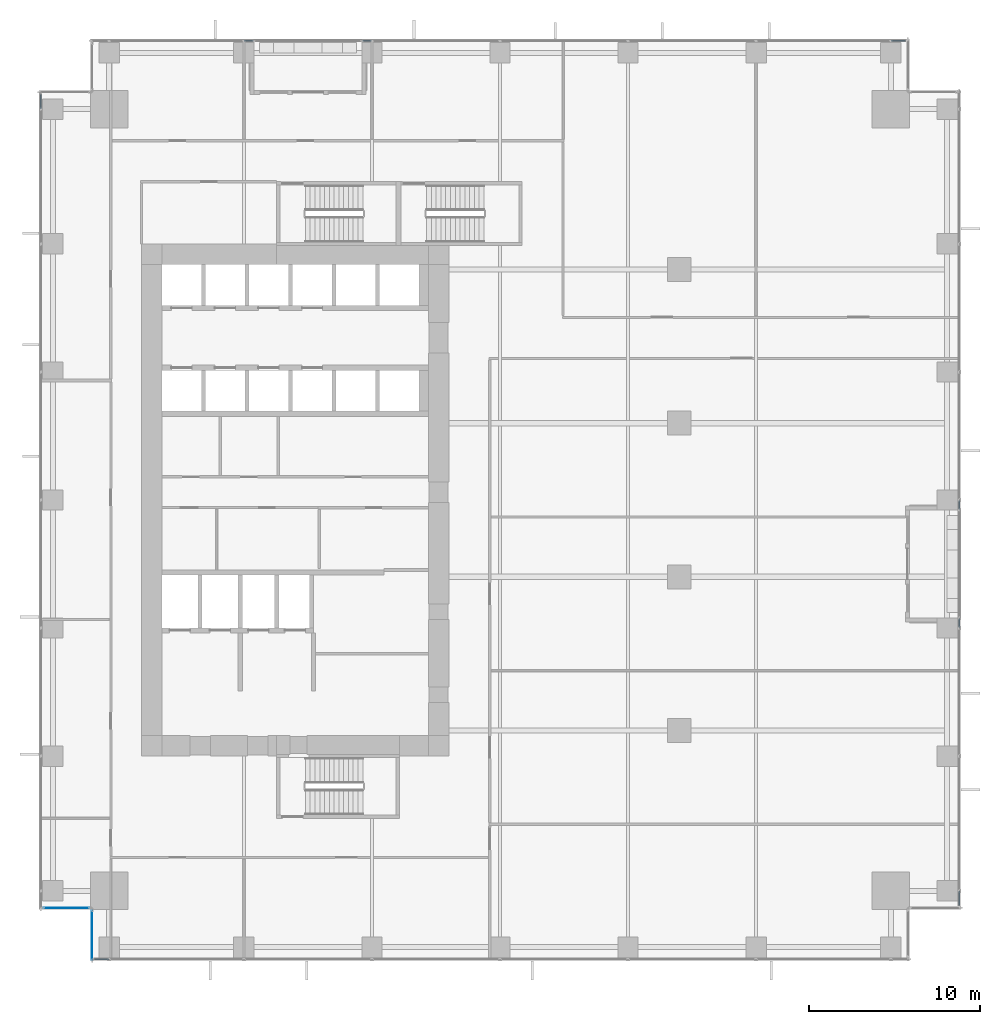
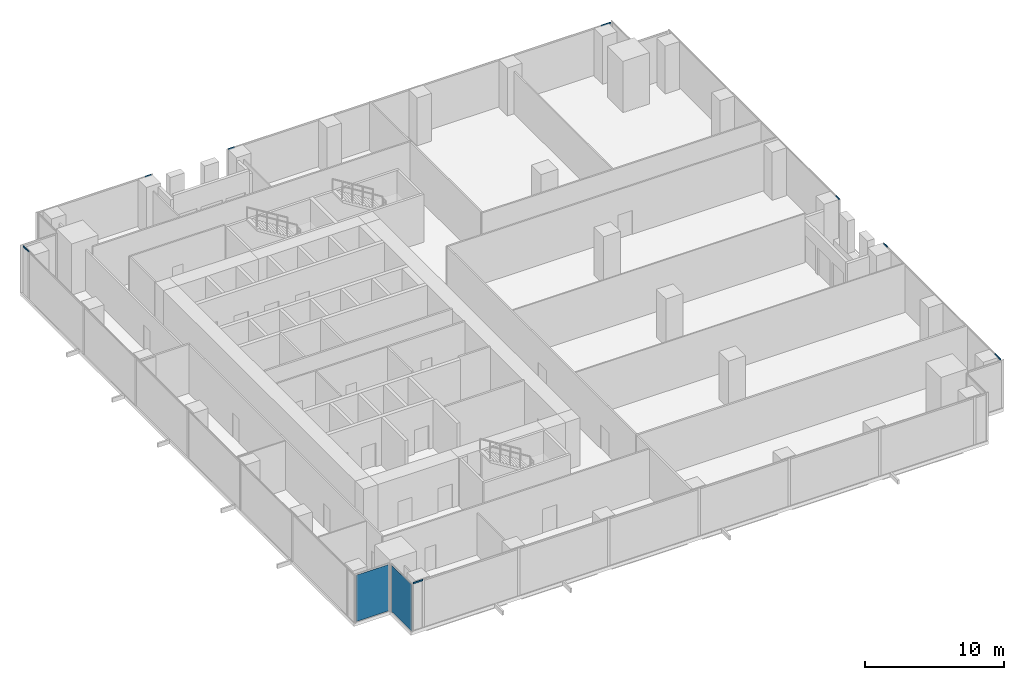
# One storey, part 20 of 32: 8 members, 2 plates, 8 elements without a shape of their own.
"""IFC4 building model written with IfcOpenShell, lengths in metres."""

from ifc_helpers import new_model, si_unit, direction, frame, origin, origin_2d, place, context, subcontext, project, spatial, rectangle, hollow_rectangle, extrude, source, transform, mapped, material, layer, layer_set, material_profile, profile_set, type_object, element, aggregate, save


model = new_model("IFC4")

# Units and contexts
model_context = context("Model", 3, precision=1e-05, world=origin(), true_north=direction((0.0, 1.0)))
body_context = subcontext(model_context, "Body", "Model", "MODEL_VIEW")
ifc_project = project(units=[si_unit("LENGTHUNIT", "METRE"), si_unit("AREAUNIT", "SQUARE_METRE"), si_unit("VOLUMEUNIT", "CUBIC_METRE"), si_unit("PLANEANGLEUNIT", "RADIAN"), si_unit("MASSUNIT", "GRAM", prefix="KILO")], contexts=[model_context])

# Site, building, storey
site_placement = place(None, origin())
site = spatial("IfcSite", under=ifc_project, at=site_placement, CompositionType="ELEMENT")
building_placement = place(site_placement, origin())
building = spatial("IfcBuilding", under=site, at=building_placement, Name="Khomas Fold Tower", CompositionType="ELEMENT")
storey_placement = place(building_placement, frame((0.0, 0.0, 37.5)))
storey = spatial("IfcBuildingStorey", under=building, at=storey_placement, Name="L07", CompositionType="ELEMENT", Elevation=37.5)

# Curtain wall, member
ifc_material_1 = material(Name="Aluminium framed double glazing", Category="aluminium")
curtain_wall_type = type_object("IfcCurtainWallType", Name="SK-Unitised clear-glass wall, growing floors CW1", PredefinedType="NOTDEFINED", material=ifc_material_1)
curtain_wall_1_placement = place(storey_placement, origin())
curtain_wall_1 = element("IfcCurtainWall", 1, at=curtain_wall_1_placement, inside=storey, type_object=curtain_wall_type, Name="CW1 run L07 00-0", PredefinedType="NOTDEFINED")
ifc_material_2 = material(Name="Aluminium", Category="aluminium")
ifc_material_profile = material_profile(ifc_material_2, hollow_rectangle(XDim=0.06005859375, YDim=0.1201171875, WallThickness=0.00390625, at=origin_2d()), Name="SK-Unitised clear-glass wall, growing floors transom CW1-T")
ifc_profile_set = profile_set([ifc_material_profile], Name="Aluminium")
member_type = type_object("IfcMemberType", Name="SK-Unitised clear-glass wall, growing floors transom CW1-T", PredefinedType="USERDEFINED", material=ifc_profile_set)
shared_shape_1 = source(origin(), body_context, "Body", "SweptSolid", [
    extrude(hollow_rectangle(XDim=0.06005859375, YDim=0.1201171875, WallThickness=0.00390625, at=origin_2d()), origin(), (0.0, 0.0, 1.0), 0.81005859375),
])
member_1_placement = place(storey_placement, frame((3.260009765625, 0.10009765625, 4.139892578125), z_axis=(1.0, 0.0, 0.0), x_axis=(0.0, 1.0, 0.0)))
member_1 = element("IfcMember", 2, at=member_1_placement, type_object=member_type, Name="CW1 transom 1", ObjectType="TRANSOM", PredefinedType="USERDEFINED", context=body_context, shape_type="MappedRepresentation", body=[
    mapped(shared_shape_1, transform((0.0, 0.0, 0.0))),
])
aggregate(curtain_wall_1, [member_1])

curtain_wall_2_placement = place(storey_placement, origin())
curtain_wall_2 = element("IfcCurtainWall", 3, at=curtain_wall_2_placement, inside=storey, type_object=curtain_wall_type, Name="CW1 run L07 03-0", PredefinedType="NOTDEFINED")
member_2_placement = place(storey_placement, frame((53.89990234375, 3.260009765625, 4.139892578125), z_axis=(0.0, 1.0, 0.0), x_axis=(-1.0, 0.0, 0.0)))
member_2 = element("IfcMember", 4, at=member_2_placement, type_object=member_type, Name="CW1 transom 1", ObjectType="TRANSOM", PredefinedType="USERDEFINED", context=body_context, shape_type="MappedRepresentation", body=[
    mapped(shared_shape_1, transform((0.0, 0.0, 0.0))),
])

curtain_wall_3_placement = place(storey_placement, origin())
curtain_wall_3 = element("IfcCurtainWall", 5, at=curtain_wall_3_placement, inside=storey, type_object=curtain_wall_type, Name="CW1 run L07 06-0", PredefinedType="NOTDEFINED")
member_3_placement = place(storey_placement, frame((50.739990234375, 53.89990234375, 4.139892578125), z_axis=(-1.0, 0.0, 0.0), x_axis=(0.0, -1.0, 0.0)))
member_3 = element("IfcMember", 6, at=member_3_placement, type_object=member_type, Name="CW1 transom 1", ObjectType="TRANSOM", PredefinedType="USERDEFINED", context=body_context, shape_type="MappedRepresentation", body=[
    mapped(shared_shape_1, transform((0.0, 0.0, 0.0))),
])

curtain_wall_4_placement = place(storey_placement, origin())
curtain_wall_4 = element("IfcCurtainWall", 7, at=curtain_wall_4_placement, inside=storey, type_object=curtain_wall_type, Name="CW1 run L07 09-0", PredefinedType="NOTDEFINED")
member_4_placement = place(storey_placement, frame((0.10009765625, 50.739990234375, 4.139892578125), z_axis=(0.0, -1.0, 0.0), x_axis=(1.0, 0.0, 0.0)))
member_4 = element("IfcMember", 8, at=member_4_placement, type_object=member_type, Name="CW1 transom 1", ObjectType="TRANSOM", PredefinedType="USERDEFINED", context=body_context, shape_type="MappedRepresentation", body=[
    mapped(shared_shape_1, transform((0.0, 0.0, 0.0))),
])
aggregate(curtain_wall_4, [member_4])

# Member
shared_shape_2 = source(origin(), body_context, "Body", "SweptSolid", [
    extrude(hollow_rectangle(XDim=0.06005859375, YDim=0.1201171875, WallThickness=0.00390625, at=origin_2d()), origin(), (0.0, 0.0, 1.0), 0.510009765625),
])
member_5_placement = place(storey_placement, frame((53.89990234375, 19.530029296875, 4.139892578125), z_axis=(0.0, 1.0, 0.0), x_axis=(-1.0, 0.0, 0.0)))
member_5 = element("IfcMember", 9, at=member_5_placement, type_object=member_type, Name="CW1 transom 4", ObjectType="TRANSOM", PredefinedType="USERDEFINED", context=body_context, shape_type="MappedRepresentation", body=[
    mapped(shared_shape_2, transform((0.0, 0.0, 0.0))),
])

aggregate(curtain_wall_2, [member_2, member_5])

# Curtain wall, member
curtain_wall_5_placement = place(storey_placement, origin())
curtain_wall_5 = element("IfcCurtainWall", 10, at=curtain_wall_5_placement, inside=storey, type_object=curtain_wall_type, Name="CW1 run L07 03-1", PredefinedType="NOTDEFINED")
member_6_placement = place(storey_placement, frame((53.89990234375, 26.4599609375, 4.139892578125), z_axis=(0.0, 1.0, 0.0), x_axis=(-1.0, 0.0, 0.0)))
member_6 = element("IfcMember", 11, at=member_6_placement, type_object=member_type, Name="CW1 transom 1", ObjectType="TRANSOM", PredefinedType="USERDEFINED", context=body_context, shape_type="MappedRepresentation", body=[
    mapped(shared_shape_2, transform((0.0, 0.0, 0.0))),
])
aggregate(curtain_wall_5, [member_6])

# Member
member_7_placement = place(storey_placement, frame((19.469970703125, 53.89990234375, 4.139892578125), z_axis=(-1.0, 0.0, 0.0), x_axis=(0.0, -1.0, 0.0)))
member_7 = element("IfcMember", 12, at=member_7_placement, type_object=member_type, Name="CW1 transom 6", ObjectType="TRANSOM", PredefinedType="USERDEFINED", context=body_context, shape_type="MappedRepresentation", body=[
    mapped(shared_shape_2, transform((0.0, 0.0, 0.0))),
])

aggregate(curtain_wall_3, [member_3, member_7])

# Curtain wall, member
curtain_wall_6_placement = place(storey_placement, origin())
curtain_wall_6 = element("IfcCurtainWall", 13, at=curtain_wall_6_placement, inside=storey, type_object=curtain_wall_type, Name="CW1 run L07 06-1", PredefinedType="NOTDEFINED")
member_8_placement = place(storey_placement, frame((12.5400390625, 53.89990234375, 4.139892578125), z_axis=(-1.0, 0.0, 0.0), x_axis=(0.0, -1.0, 0.0)))
member_8 = element("IfcMember", 14, at=member_8_placement, type_object=member_type, Name="CW1 transom 1", ObjectType="TRANSOM", PredefinedType="USERDEFINED", context=body_context, shape_type="MappedRepresentation", body=[
    mapped(shared_shape_2, transform((0.0, 0.0, 0.0))),
])
aggregate(curtain_wall_6, [member_8])

# Curtain wall, plate
curtain_wall_7_placement = place(storey_placement, origin())
curtain_wall_7 = element("IfcCurtainWall", 15, at=curtain_wall_7_placement, inside=storey, type_object=curtain_wall_type, Name="CW1 corner return L07 10", PredefinedType="NOTDEFINED")
ifc_material_3 = material(Name="Clear double glazed unit")
ifc_layer = layer(ifc_material_3, 0.031982421875)
ifc_layer_set = layer_set([ifc_layer], Name="Clear double glazed unit")
plate_type = type_object("IfcPlateType", Name="SK-Unitised clear-glass wall, growing floors glass panel CW1-P", PredefinedType="CURTAIN_PANEL", material=ifc_layer_set)
shared_shape_3 = source(origin(), body_context, "Body", "SweptSolid", [
    extrude(rectangle(XDim=2.679931640625, YDim=0.031982421875, at=origin_2d()), origin(), (0.0, 0.0, 1.0), 4.080078125),
])
plate_1_placement = place(storey_placement, frame((1.60009765625, 3.10009765625, 0.0), z_axis=(0.0, 0.0, 1.0), x_axis=(1.0, 0.0, 0.0)))
plate_1 = element("IfcPlate", 16, at=plate_1_placement, type_object=plate_type, Name="CW1 glass panel 1", PredefinedType="CURTAIN_PANEL", context=body_context, shape_type="MappedRepresentation", body=[
    mapped(shared_shape_3, transform((0.0, 0.0, 0.0))),
])
aggregate(curtain_wall_7, [plate_1])

curtain_wall_8_placement = place(storey_placement, origin())
curtain_wall_8 = element("IfcCurtainWall", 17, at=curtain_wall_8_placement, inside=storey, type_object=curtain_wall_type, Name="CW1 corner return L07 11", PredefinedType="NOTDEFINED")
shared_shape_4 = source(origin(), body_context, "Body", "SweptSolid", [
    extrude(rectangle(XDim=2.8798828125, YDim=0.031982421875, at=origin_2d()), origin(), (0.0, 0.0, 1.0), 4.080078125),
])
plate_2_placement = place(storey_placement, frame((3.10009765625, 1.5, 0.0), z_axis=(0.0, 0.0, 1.0), x_axis=(0.0, -1.0, 0.0)))
plate_2 = element("IfcPlate", 18, at=plate_2_placement, type_object=plate_type, Name="CW1 glass panel 1", PredefinedType="CURTAIN_PANEL", context=body_context, shape_type="MappedRepresentation", body=[
    mapped(shared_shape_4, transform((0.0, 0.0, 0.0))),
])
aggregate(curtain_wall_8, [plate_2])

save(model, "model.ifc")
